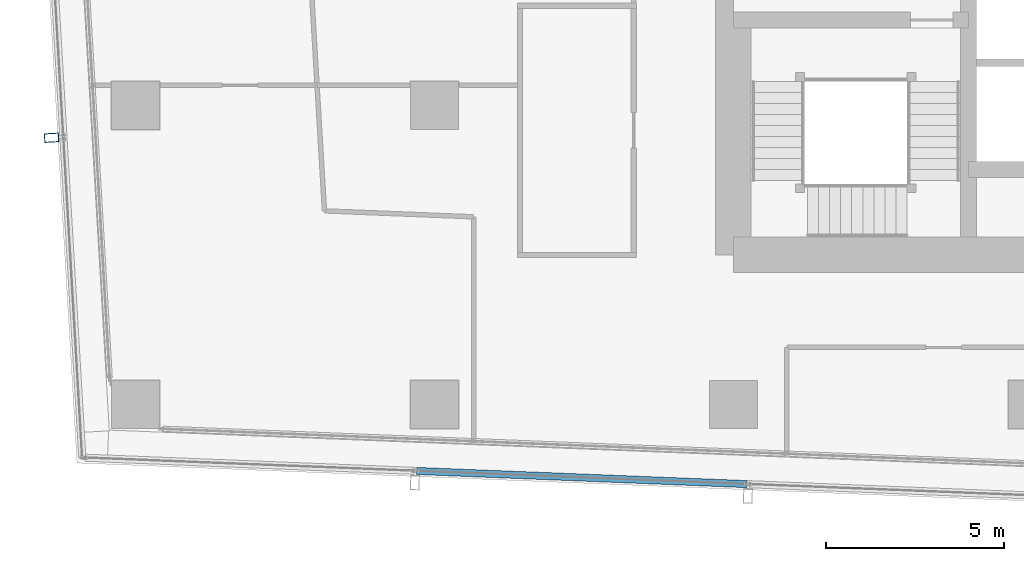
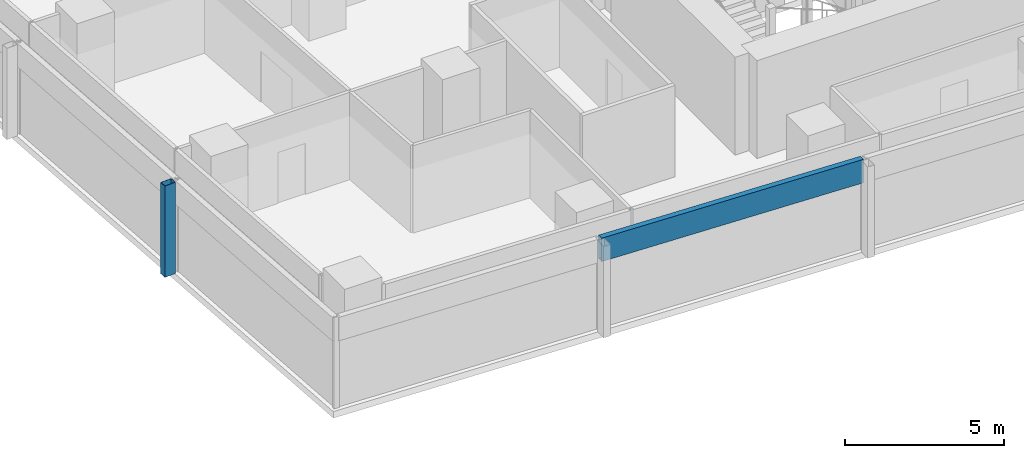
# One storey, part 4 of 39: 2 members, 2 elements without a shape of their own.
"""IFC4 building model written with IfcOpenShell, lengths in metres."""

from ifc_helpers import new_model, si_unit, direction, frame, origin, origin_2d, place, context, subcontext, project, spatial, hollow_rectangle, extrude, material, material_profile, profile_set, type_object, element, aggregate, save


model = new_model("IFC4")

# Units and contexts
model_context = context("Model", 3, precision=1e-05, world=origin(), true_north=direction((0.0, 1.0)))
body_context = subcontext(model_context, "Body", "Model", "MODEL_VIEW")
ifc_project = project(units=[si_unit("LENGTHUNIT", "METRE"), si_unit("AREAUNIT", "SQUARE_METRE"), si_unit("VOLUMEUNIT", "CUBIC_METRE"), si_unit("PLANEANGLEUNIT", "RADIAN"), si_unit("MASSUNIT", "GRAM", prefix="KILO")], contexts=[model_context])

# Site, building, storey
site_placement = place(None, origin())
site = spatial("IfcSite", under=ifc_project, at=site_placement, CompositionType="ELEMENT")
building_placement = place(site_placement, origin())
building = spatial("IfcBuilding", under=site, at=building_placement, Name="Rekha Terrace Tower", CompositionType="ELEMENT")
storey_placement = place(building_placement, frame((0.0, 0.0, 225.199951171875)))
storey = spatial("IfcBuildingStorey", under=building, at=storey_placement, Name="L57", CompositionType="ELEMENT", Elevation=225.199951171875)

# Curtain wall, member
ifc_material_1 = material(Name="Aluminium framing", Category="aluminium")
curtain_wall_type = type_object("IfcCurtainWallType", Name="CW2 double skin outer glazing", PredefinedType="USERDEFINED", material=ifc_material_1)
curtain_wall_1_placement = place(storey_placement, origin())
curtain_wall_1 = element("IfcCurtainWall", 1, at=curtain_wall_1_placement, inside=storey, type_object=curtain_wall_type, Name="CW2 double skin outer glazing", ObjectType="DOUBLE SKIN OUTER GLAZING", PredefinedType="USERDEFINED")
ifc_material_2 = material(Name="Steel S355 with fluorocarbon finish", Category="steel")
ifc_material_profile_1 = material_profile(ifc_material_2, hollow_rectangle(XDim=0.25, YDim=0.39990234375, WallThickness=0.012451171875, at=origin_2d()), Name="RHS400x250x12.5")
ifc_profile_set_1 = profile_set([ifc_material_profile_1], Name="Steel S355 with fluorocarbon finish")
member_type_1 = type_object("IfcMemberType", Name="BL1 facade blade RHS 400 x 250", PredefinedType="USERDEFINED", material=ifc_profile_set_1)
member_1_placement = place(storey_placement, frame((6.03662109375, 24.292236328125, 0.0), z_axis=(0.0, 0.0, 1.0), x_axis=(0.058764522885, -0.998271872212, 0.0)))
member_1 = element("IfcMember", 2, at=member_1_placement, type_object=member_type_1, Name="Facade blade", ObjectType="FACADE BLADE", PredefinedType="USERDEFINED", context=body_context, shape_type="SweptSolid", body=[
    extrude(hollow_rectangle(XDim=0.25, YDim=0.39990234375, WallThickness=0.012451171875, at=origin_2d()), origin(), (0.0, 0.0, 1.0), 3.5),
])
aggregate(curtain_wall_1, [member_1])

curtain_wall_2_placement = place(storey_placement, origin())
curtain_wall_2 = element("IfcCurtainWall", 3, at=curtain_wall_2_placement, inside=storey, type_object=curtain_wall_type, Name="CW2 double skin outer glazing", ObjectType="DOUBLE SKIN OUTER GLAZING", PredefinedType="USERDEFINED")
ifc_material_3 = material(Name="Insulated aluminium spandrel box", Category="aluminium")
ifc_material_profile_2 = material_profile(ifc_material_3, hollow_rectangle(XDim=0.199951171875, YDim=0.89990234375, WallThickness=0.0029296875, at=origin_2d()), Name="AL SPANDREL BOX 200x900")
ifc_profile_set_2 = profile_set([ifc_material_profile_2], Name="Insulated aluminium spandrel box")
member_type_2 = type_object("IfcMemberType", Name="CW2 spandrel transom 200 x 900", PredefinedType="USERDEFINED", material=ifc_profile_set_2)
member_2_placement = place(storey_placement, frame((16.2998046875, 14.928955078125, 3.050048828125), z_axis=(0.999205404308, -0.039856743486, 0.0), x_axis=(0.039856743486, 0.999205404308, 0.0)))
member_2 = element("IfcMember", 4, at=member_2_placement, type_object=member_type_2, Name="CW2 spandrel transom 2", ObjectType="TRANSOM", PredefinedType="USERDEFINED", context=body_context, shape_type="SweptSolid", body=[
    extrude(hollow_rectangle(XDim=0.199951171875, YDim=0.89990234375, WallThickness=0.0029296875, at=origin_2d()), origin(), (0.0, 0.0, 1.0), 9.2861328125),
])
aggregate(curtain_wall_2, [member_2])

save(model, "model.ifc")
